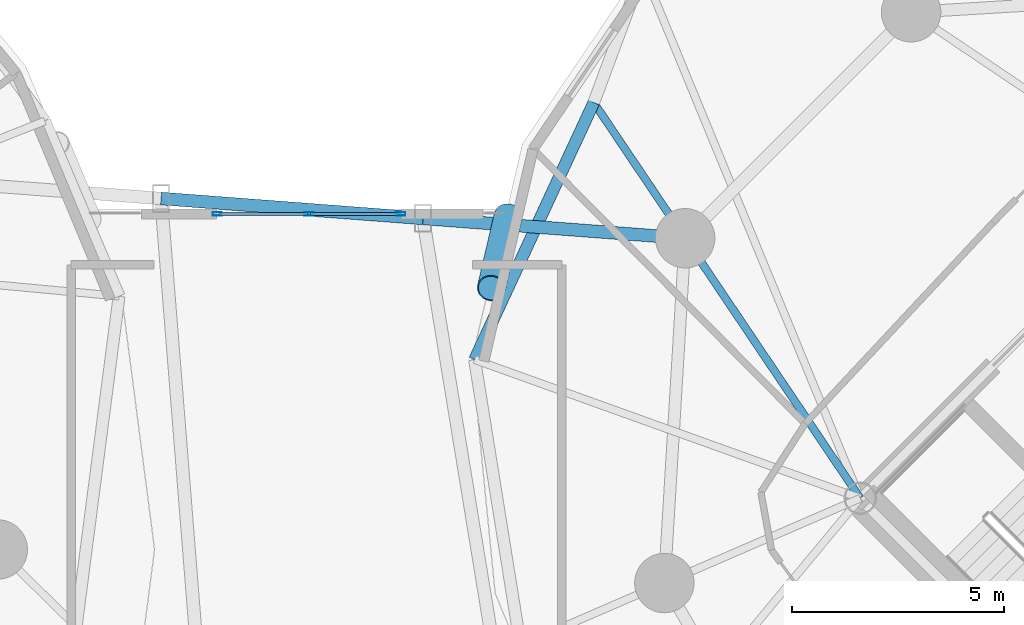
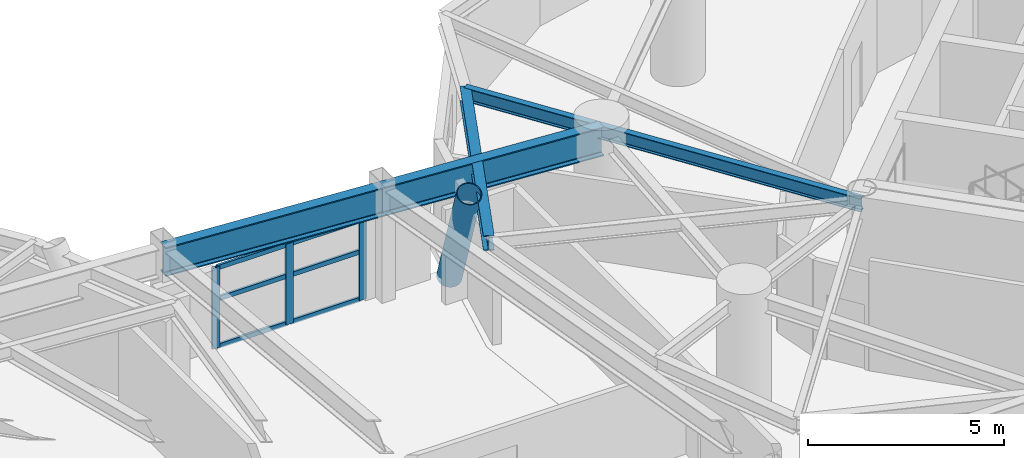
# One storey, part 6 of 19: 10 members, 4 beams, 1 element without a shape of its own.
"""IFC4 building model written with IfcOpenShell, lengths in metres."""

from ifc_helpers import new_model, si_unit, direction, frame, origin, origin_2d, place, context, subcontext, project, spatial, hollow_rectangle, hollow_circle, i_section, extrude, material, layer, layer_set, material_profile, profile_set, type_object, element, aggregate, save


model = new_model("IFC4")

# Units and contexts
model_context = context("Model", 3, precision=1e-05, world=origin(), true_north=direction((0.0, 1.0)))
body_context = subcontext(model_context, "Body", "Model", "MODEL_VIEW")
ifc_project = project(units=[si_unit("LENGTHUNIT", "METRE"), si_unit("AREAUNIT", "SQUARE_METRE"), si_unit("VOLUMEUNIT", "CUBIC_METRE"), si_unit("PLANEANGLEUNIT", "RADIAN"), si_unit("MASSUNIT", "GRAM", prefix="KILO")], contexts=[model_context])

# Site, building, storey
site_placement = place(None, origin())
site = spatial("IfcSite", under=ifc_project, at=site_placement, CompositionType="ELEMENT")
building_placement = place(site_placement, origin())
building = spatial("IfcBuilding", under=site, at=building_placement, Name="Cununo Teusaquillo Station Towers", CompositionType="ELEMENT")
storey_placement = place(building_placement, frame((0.0, 0.0, 132.8798828125)))
storey = spatial("IfcBuildingStorey", under=building, at=storey_placement, Name="L42", CompositionType="ELEMENT", Elevation=132.8798828125)

# Beams
ifc_material_1 = material(Name="Steel EN 10025-2 S355J2", Category="steel")
ifc_material_profile_1 = material_profile(ifc_material_1, i_section(OverallWidth=0.300048828125, OverallDepth=0.89990234375, WebThickness=0.0185546875, FlangeThickness=0.034912109375, FilletRadius=0.027099609375, at=origin_2d()), Name="HEB 900")
ifc_profile_set_1 = profile_set([ifc_material_profile_1], Name="Steel EN 10025-2 S355J2")
beam_type_1 = type_object("IfcBeamType", Name="BM-BRG-CH2", PredefinedType="BEAM", material=ifc_profile_set_1)
beam_1_placement = place(storey_placement, frame((32.51611328125, 32.761474609375, 2.990234375), z_axis=(0.997143183449, -0.075534572886, 0.0), x_axis=(0.075534572886, 0.997143183449, 0.0)))
element("IfcBeam", 1, at=beam_1_placement, inside=storey, type_object=beam_type_1, Name="L42 Mid-Bridge Chord N2", PredefinedType="BEAM", context=body_context, shape_type="SweptSolid", body=[
    extrude(i_section(OverallWidth=0.300048828125, OverallDepth=0.89990234375, WebThickness=0.0185546875, FlangeThickness=0.034912109375, FilletRadius=0.027099609375, at=origin_2d()), origin(), (0.0, 0.0, 1.0), 6.186279296875),
])
beam_2_placement = place(storey_placement, frame((38.684814453125, 32.294189453125, 2.990234375), z_axis=(0.997143408598, -0.075531600604, 0.0), x_axis=(0.075531600604, 0.997143408598, 0.0)))
element("IfcBeam", 2, at=beam_2_placement, inside=storey, type_object=beam_type_1, Name="L42 Mid-Bridge Chord N3", PredefinedType="BEAM", context=body_context, shape_type="SweptSolid", body=[
    extrude(i_section(OverallWidth=0.300048828125, OverallDepth=0.89990234375, WebThickness=0.0185546875, FlangeThickness=0.034912109375, FilletRadius=0.027099609375, at=origin_2d()), origin(), (0.0, 0.0, 1.0), 6.1865234375),
])
ifc_material_2 = material(Name="Steel ASTM A572 Grade 50", Category="steel")
ifc_material_profile_2 = material_profile(ifc_material_2, i_section(OverallWidth=0.180908203125, OverallDepth=0.4169921875, WebThickness=0.010986328125, FlangeThickness=0.018310546875, FilletRadius=0.012939453125, at=origin_2d()), Name="W16X57")
ifc_profile_set_2 = profile_set([ifc_material_profile_2], Name="Steel ASTM A572 Grade 50")
beam_type_2 = type_object("IfcBeamType", Name="BM-RAD-G2", PredefinedType="BEAM", material=ifc_profile_set_2)
beam_3_placement = place(storey_placement, frame((48.975830078125, 25.70556640625, 3.231689453125), z_axis=(-0.558572297481, 0.82945583878, 0.0), x_axis=(-0.82945583878, -0.558572297481, 0.0)))
element("IfcBeam", 3, at=beam_3_placement, inside=storey, type_object=beam_type_2, Name="L42 Tower B Continuous Overhanging Radial Girder 04", PredefinedType="BEAM", context=body_context, shape_type="SweptSolid", body=[
    extrude(i_section(OverallWidth=0.180908203125, OverallDepth=0.4169921875, WebThickness=0.010986328125, FlangeThickness=0.018310546875, FilletRadius=0.012939453125, at=origin_2d()), origin(), (0.0, 0.0, 1.0), 11.22998046875),
])
ifc_material_3 = material(Name="Steel ASTM A572 Grade 50", Category="steel")
ifc_material_profile_3 = material_profile(ifc_material_3, i_section(OverallWidth=0.280029296875, OverallDepth=0.462890625, WebThickness=0.0107421875, FlangeThickness=0.017333984375, FilletRadius=0.013916015625, at=origin_2d()), Name="W18X76")
ifc_profile_set_3 = profile_set([ifc_material_profile_3], Name="Steel ASTM A572 Grade 50")
beam_type_3 = type_object("IfcBeamType", Name="BM-RING-Z2", PredefinedType="SPANDREL", material=ifc_profile_set_3)
beam_4_placement = place(storey_placement, frame((42.703125, 35.020263671875, 3.20849609375), z_axis=(-0.420535961689, -0.907275870354, 0.0), x_axis=(0.907275870354, -0.420535961689, 0.0)))
element("IfcBeam", 4, at=beam_4_placement, inside=storey, type_object=beam_type_3, Name="L42 Tower B Spandrel Ring Beam 07", PredefinedType="SPANDREL", context=body_context, shape_type="SweptSolid", body=[
    extrude(i_section(OverallWidth=0.280029296875, OverallDepth=0.462890625, WebThickness=0.0107421875, FlangeThickness=0.017333984375, FilletRadius=0.013916015625, at=origin_2d()), origin(), (0.0, 0.0, 1.0), 6.671142578125),
])

# Curtain wall, members
ifc_material_4 = material(Name="Ceramic-fritted dark low-E double glazing", Category="glass")
ifc_layer = layer(ifc_material_4, 0.179931640625)
ifc_layer_set = layer_set([ifc_layer], Name="Ceramic-fritted dark low-E double glazing")
curtain_wall_type = type_object("IfcCurtainWallType", Name="CW-SYS-05", PredefinedType="USERDEFINED", material=ifc_layer_set)
curtain_wall_placement = place(storey_placement, origin())
curtain_wall = element("IfcCurtainWall", 5, at=curtain_wall_placement, inside=storey, type_object=curtain_wall_type, Name="L42 Mid-Bridge N Observation Curtain Wall", ObjectType="FRITTED GLAZING", PredefinedType="USERDEFINED")
ifc_material_5 = material(Name="Anodised dark bronze aluminium EN AW-6063-T6", Category="aluminium")
ifc_material_profile_4 = material_profile(ifc_material_5, hollow_rectangle(XDim=0.080078125, YDim=0.219970703125, WallThickness=0.0048828125, at=origin_2d()), Name="CW-MULL-80x220")
ifc_profile_set_4 = profile_set([ifc_material_profile_4], Name="Anodised dark bronze aluminium EN AW-6063-T6")
member_type_1 = type_object("IfcMemberType", Name="CWM-220", PredefinedType="MULLION", material=ifc_profile_set_4)
member_1_placement = place(storey_placement, frame((33.840087890625, 32.39990234375, 0.0), z_axis=(0.0, 0.0, 1.0), x_axis=(0.0, 1.0, 0.0)))
member_1 = element("IfcMember", 6, at=member_1_placement, type_object=member_type_1, Name="CW-05 mullion 1", PredefinedType="MULLION", context=body_context, shape_type="SweptSolid", body=[
    extrude(hollow_rectangle(XDim=0.080078125, YDim=0.219970703125, WallThickness=0.0048828125, at=origin_2d()), origin(), (0.0, 0.0, 1.0), 2.51220703125),
])
member_2_placement = place(storey_placement, frame((36.0, 32.39990234375, 0.0), z_axis=(0.0, 0.0, 1.0), x_axis=(0.0, 1.0, 0.0)))
member_2 = element("IfcMember", 7, at=member_2_placement, type_object=member_type_1, Name="CW-05 mullion 2", PredefinedType="MULLION", context=body_context, shape_type="SweptSolid", body=[
    extrude(hollow_rectangle(XDim=0.080078125, YDim=0.219970703125, WallThickness=0.0048828125, at=origin_2d()), origin(), (0.0, 0.0, 1.0), 2.51220703125),
])
member_3_placement = place(storey_placement, frame((38.159912109375, 32.39990234375, 0.0), z_axis=(0.0, 0.0, 1.0), x_axis=(0.0, 1.0, 0.0)))
member_3 = element("IfcMember", 8, at=member_3_placement, type_object=member_type_1, Name="CW-05 mullion 3", PredefinedType="MULLION", context=body_context, shape_type="SweptSolid", body=[
    extrude(hollow_rectangle(XDim=0.080078125, YDim=0.219970703125, WallThickness=0.0048828125, at=origin_2d()), origin(), (0.0, 0.0, 1.0), 2.51220703125),
])
ifc_material_6 = material(Name="Anodised dark bronze aluminium EN AW-6063-T6", Category="aluminium")
ifc_material_profile_5 = material_profile(ifc_material_6, hollow_rectangle(XDim=0.070068359375, YDim=0.139892578125, WallThickness=0.00390625, at=origin_2d()), Name="CW-TRAN-70x140")
ifc_profile_set_5 = profile_set([ifc_material_profile_5], Name="Anodised dark bronze aluminium EN AW-6063-T6")
member_type_2 = type_object("IfcMemberType", Name="CWT-140", PredefinedType="USERDEFINED", material=ifc_profile_set_5)
member_4_placement = place(storey_placement, frame((33.8798828125, 32.39990234375, 0.03515625), z_axis=(1.0, 0.0, 0.0), x_axis=(0.0, 1.0, 0.0)))
member_4 = element("IfcMember", 9, at=member_4_placement, type_object=member_type_2, Name="CW-05 transom 1.1", ObjectType="TRANSOM", PredefinedType="USERDEFINED", context=body_context, shape_type="SweptSolid", body=[
    extrude(hollow_rectangle(XDim=0.070068359375, YDim=0.139892578125, WallThickness=0.00390625, at=origin_2d()), origin(), (0.0, 0.0, 1.0), 2.080078125),
])
member_5_placement = place(storey_placement, frame((33.8798828125, 32.39990234375, 1.507080078125), z_axis=(1.0, 0.0, 0.0), x_axis=(0.0, 1.0, 0.0)))
member_5 = element("IfcMember", 10, at=member_5_placement, type_object=member_type_2, Name="CW-05 transom 1.2", ObjectType="TRANSOM", PredefinedType="USERDEFINED", context=body_context, shape_type="SweptSolid", body=[
    extrude(hollow_rectangle(XDim=0.070068359375, YDim=0.139892578125, WallThickness=0.00390625, at=origin_2d()), origin(), (0.0, 0.0, 1.0), 2.080078125),
])
member_6_placement = place(storey_placement, frame((33.8798828125, 32.39990234375, 2.47705078125), z_axis=(1.0, 0.0, 0.0), x_axis=(0.0, 1.0, 0.0)))
member_6 = element("IfcMember", 11, at=member_6_placement, type_object=member_type_2, Name="CW-05 transom 1.3", ObjectType="TRANSOM", PredefinedType="USERDEFINED", context=body_context, shape_type="SweptSolid", body=[
    extrude(hollow_rectangle(XDim=0.070068359375, YDim=0.139892578125, WallThickness=0.00390625, at=origin_2d()), origin(), (0.0, 0.0, 1.0), 2.080078125),
])
member_7_placement = place(storey_placement, frame((36.0400390625, 32.39990234375, 0.03515625), z_axis=(1.0, 0.0, 0.0), x_axis=(0.0, 1.0, 0.0)))
member_7 = element("IfcMember", 12, at=member_7_placement, type_object=member_type_2, Name="CW-05 transom 2.1", ObjectType="TRANSOM", PredefinedType="USERDEFINED", context=body_context, shape_type="SweptSolid", body=[
    extrude(hollow_rectangle(XDim=0.070068359375, YDim=0.139892578125, WallThickness=0.00390625, at=origin_2d()), origin(), (0.0, 0.0, 1.0), 2.080078125),
])
member_8_placement = place(storey_placement, frame((36.0400390625, 32.39990234375, 1.507080078125), z_axis=(1.0, 0.0, 0.0), x_axis=(0.0, 1.0, 0.0)))
member_8 = element("IfcMember", 13, at=member_8_placement, type_object=member_type_2, Name="CW-05 transom 2.2", ObjectType="TRANSOM", PredefinedType="USERDEFINED", context=body_context, shape_type="SweptSolid", body=[
    extrude(hollow_rectangle(XDim=0.070068359375, YDim=0.139892578125, WallThickness=0.00390625, at=origin_2d()), origin(), (0.0, 0.0, 1.0), 2.080078125),
])
member_9_placement = place(storey_placement, frame((36.0400390625, 32.39990234375, 2.47705078125), z_axis=(1.0, 0.0, 0.0), x_axis=(0.0, 1.0, 0.0)))
member_9 = element("IfcMember", 14, at=member_9_placement, type_object=member_type_2, Name="CW-05 transom 2.3", ObjectType="TRANSOM", PredefinedType="USERDEFINED", context=body_context, shape_type="SweptSolid", body=[
    extrude(hollow_rectangle(XDim=0.070068359375, YDim=0.139892578125, WallThickness=0.00390625, at=origin_2d()), origin(), (0.0, 0.0, 1.0), 2.080078125),
])
aggregate(curtain_wall, [member_1, member_2, member_3, member_4, member_5, member_6, member_7, member_8, member_9])

# Member
ifc_material_7 = material(Name="Steel EN 10025-2 S355J2", Category="steel")
ifc_material_profile_6 = material_profile(ifc_material_7, hollow_circle(Radius=0.330078125, WallThickness=0.02490234375, at=origin_2d()), Name="CHS 660x25")
ifc_profile_set_6 = profile_set([ifc_material_profile_6], Name="Steel EN 10025-2 S355J2")
member_type_3 = type_object("IfcMemberType", Name="MBR-DIAG-Z2", PredefinedType="BRACE", material=ifc_profile_set_6)
member_10_placement = place(storey_placement, frame((40.682373046875, 32.335693359375, -0.139892578125), z_axis=(-0.095639341372, -0.410529045914, 0.90681807373), x_axis=(0.973920299704, -0.226890391653, 0.0)))
element("IfcMember", 15, at=member_10_placement, inside=storey, type_object=member_type_3, Name="L42 Tower B Folded-Zigzag Diagrid Tube C06", PredefinedType="BRACE", context=body_context, shape_type="SweptSolid", body=[
    extrude(hollow_circle(Radius=0.330078125, WallThickness=0.02490234375, at=origin_2d()), origin(), (0.0, 0.0, 1.0), 4.102294921875),
])

save(model, "model.ifc")
